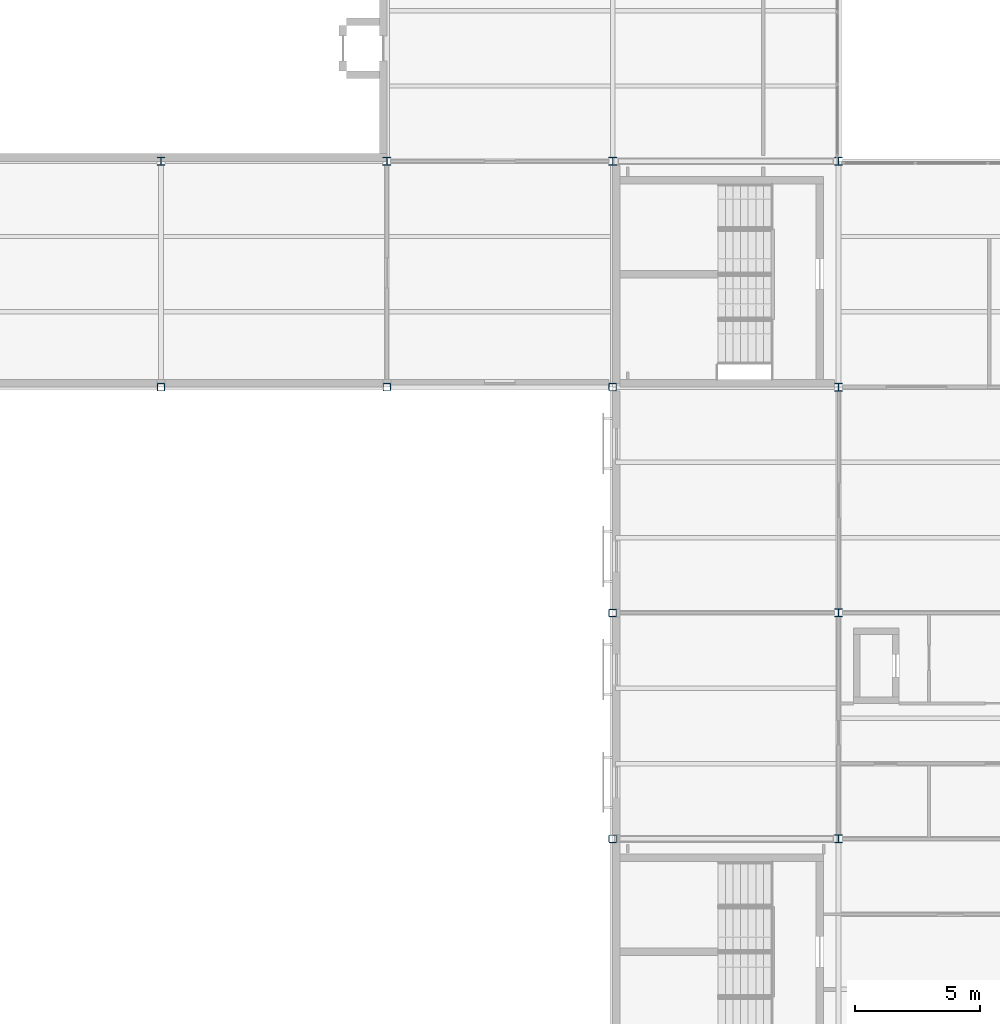
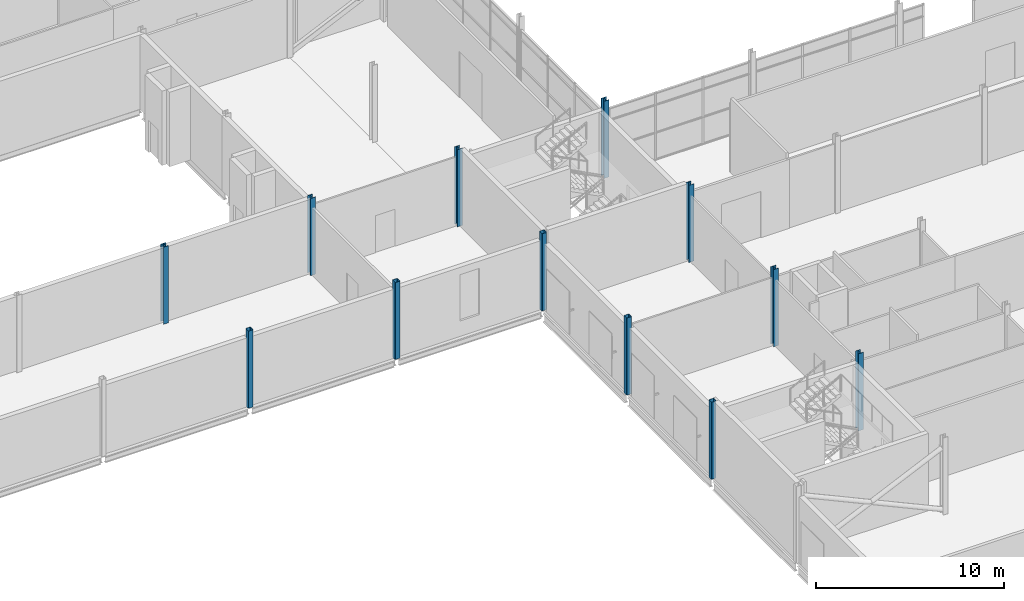
# One storey, part 3 of 112: 12 columns.
"""IFC4 building model written with IfcOpenShell, lengths in metres."""

from ifc_helpers import new_model, si_unit, direction, frame, origin, origin_2d, place, context, subcontext, project, spatial, hollow_rectangle, i_section, extrude, material, material_profile, profile_set, type_object, element, save


model = new_model("IFC4")

# Units and contexts
model_context = context("Model", 3, precision=1e-05, world=origin(), true_north=direction((0.0, 1.0)))
body_context = subcontext(model_context, "Body", "Model", "MODEL_VIEW")
ifc_project = project(units=[si_unit("LENGTHUNIT", "METRE"), si_unit("AREAUNIT", "SQUARE_METRE"), si_unit("VOLUMEUNIT", "CUBIC_METRE"), si_unit("PLANEANGLEUNIT", "RADIAN"), si_unit("MASSUNIT", "GRAM", prefix="KILO")], contexts=[model_context])

# Site, building, storey
site_placement = place(None, origin())
site = spatial("IfcSite", under=ifc_project, at=site_placement, CompositionType="ELEMENT")
building_placement = place(site_placement, origin())
building = spatial("IfcBuilding", under=site, at=building_placement, Name="Shorebreak Coast Museum", CompositionType="ELEMENT")
storey_placement = place(building_placement, frame((0.0, 0.0, 6.0)))
storey = spatial("IfcBuildingStorey", under=building, at=storey_placement, Name="L01", CompositionType="ELEMENT", Elevation=6.0)

# Columns
ifc_material_1 = material(Name="Steel Grade C450L0", Category="steel")
ifc_material_profile_1 = material_profile(ifc_material_1, hollow_rectangle(XDim=0.300048828125, YDim=0.300048828125, WallThickness=0.012451171875, InnerFilletRadius=0.018798828125, OuterFilletRadius=0.03125, at=origin_2d()), Name="300x300x12.5 SHS")
ifc_profile_set_1 = profile_set([ifc_material_profile_1], Name="Steel Grade C450L0")
column_type_1 = type_object("IfcColumnType", Name="Column 300x300x12.5 SHS", PredefinedType="COLUMN", material=ifc_profile_set_1)
for number, where, z_axis, x_axis, name in (
    (1, (54.0, 36.0, 0.0), (0.0, 0.0, 1.0), (1.0, 0.0, 0.0), "Column L01 7E"),
    (2, (54.0, 45.0, 0.0), (0.0, 0.0, 1.0), (1.0, 0.0, 0.0), "Column L01 7F"),
    (3, (36.0, 54.0, 0.0), (0.0, 0.0, 1.0), (1.0, 0.0, 0.0), "Column L01 5G"),
    (4, (45.0, 54.0, 0.0), (0.0, 0.0, 1.0), (1.0, 0.0, 0.0), "Column L01 6G"),
    (5, (54.0, 54.0, 0.0), (0.0, 0.0, 1.0), (1.0, 0.0, 0.0), "Column L01 7G"),
):
    element("IfcColumn", number, at=place(storey_placement, frame(where, z_axis=z_axis, x_axis=x_axis)), inside=storey, type_object=column_type_1, Name=name, PredefinedType="COLUMN", context=body_context, shape_type="SweptSolid", body=[
        extrude(hollow_rectangle(XDim=0.300048828125, YDim=0.300048828125, WallThickness=0.012451171875, InnerFilletRadius=0.018798828125, OuterFilletRadius=0.03125, at=origin_2d()), origin(), (0.0, 0.0, 1.0), 5.0),
    ])
ifc_material_2 = material(Name="Steel Grade 300", Category="steel")
ifc_material_profile_2 = material_profile(ifc_material_2, i_section(OverallWidth=0.30908203125, OverallDepth=0.320556640625, WebThickness=0.013916015625, FlangeThickness=0.021728515625, FilletRadius=0.0166015625, at=origin_2d()), Name="310UC137")
ifc_profile_set_2 = profile_set([ifc_material_profile_2], Name="Steel Grade 300")
column_type_2 = type_object("IfcColumnType", Name="Column 310UC137", PredefinedType="COLUMN", material=ifc_profile_set_2)
for number, where, z_axis, x_axis, name in (
    (6, (63.0, 36.0, 0.0), (0.0, 0.0, 1.0), (1.0, 0.0, 0.0), "Column L01 8E"),
    (7, (63.0, 45.0, 0.0), (0.0, 0.0, 1.0), (1.0, 0.0, 0.0), "Column L01 8F"),
    (8, (63.0, 54.0, 0.0), (0.0, 0.0, 1.0), (1.0, 0.0, 0.0), "Column L01 8G"),
    (9, (54.0, 63.0, 0.0), (0.0, 0.0, 1.0), (1.0, 0.0, 0.0), "Column L01 7H"),
):
    element("IfcColumn", number, at=place(storey_placement, frame(where, z_axis=z_axis, x_axis=x_axis)), inside=storey, type_object=column_type_2, Name=name, PredefinedType="COLUMN", context=body_context, shape_type="SweptSolid", body=[
        extrude(i_section(OverallWidth=0.30908203125, OverallDepth=0.320556640625, WebThickness=0.013916015625, FlangeThickness=0.021728515625, FilletRadius=0.0166015625, at=origin_2d()), origin(), (0.0, 0.0, 1.0), 5.0),
    ])
ifc_material_3 = material(Name="Steel Grade 300", Category="steel")
ifc_material_profile_3 = material_profile(ifc_material_3, i_section(OverallWidth=0.31103515625, OverallDepth=0.3271484375, WebThickness=0.015625, FlangeThickness=0.02490234375, FilletRadius=0.0166015625, at=origin_2d()), Name="310UC158")
ifc_profile_set_3 = profile_set([ifc_material_profile_3], Name="Steel Grade 300")
column_type_3 = type_object("IfcColumnType", Name="Column 310UC158", PredefinedType="COLUMN", material=ifc_profile_set_3)
for number, where, z_axis, x_axis, name in (
    (10, (36.0, 63.0, 0.0), (0.0, 0.0, 1.0), (1.0, 0.0, 0.0), "Column L01 5H"),
    (11, (45.0, 63.0, 0.0), (0.0, 0.0, 1.0), (1.0, 0.0, 0.0), "Column L01 6H"),
    (12, (63.0, 63.0, 0.0), (0.0, 0.0, 1.0), (1.0, 0.0, 0.0), "Column L01 8H"),
):
    element("IfcColumn", number, at=place(storey_placement, frame(where, z_axis=z_axis, x_axis=x_axis)), inside=storey, type_object=column_type_3, Name=name, PredefinedType="COLUMN", context=body_context, shape_type="SweptSolid", body=[
        extrude(i_section(OverallWidth=0.31103515625, OverallDepth=0.3271484375, WebThickness=0.015625, FlangeThickness=0.02490234375, FilletRadius=0.0166015625, at=origin_2d()), origin(), (0.0, 0.0, 1.0), 5.0),
    ])

save(model, "model.ifc")
